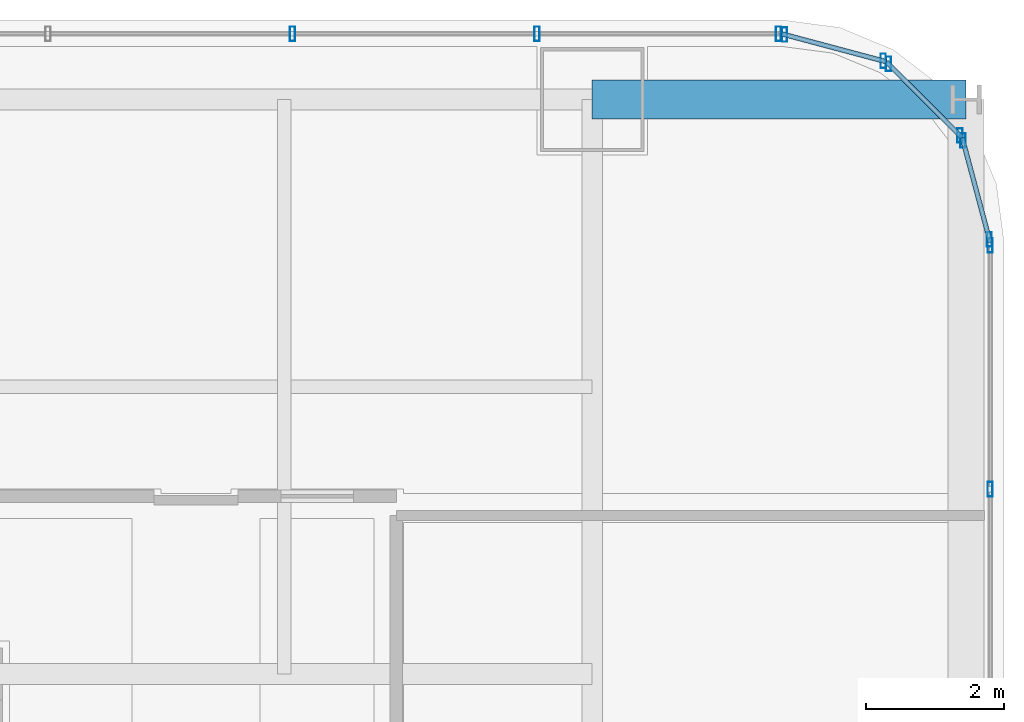
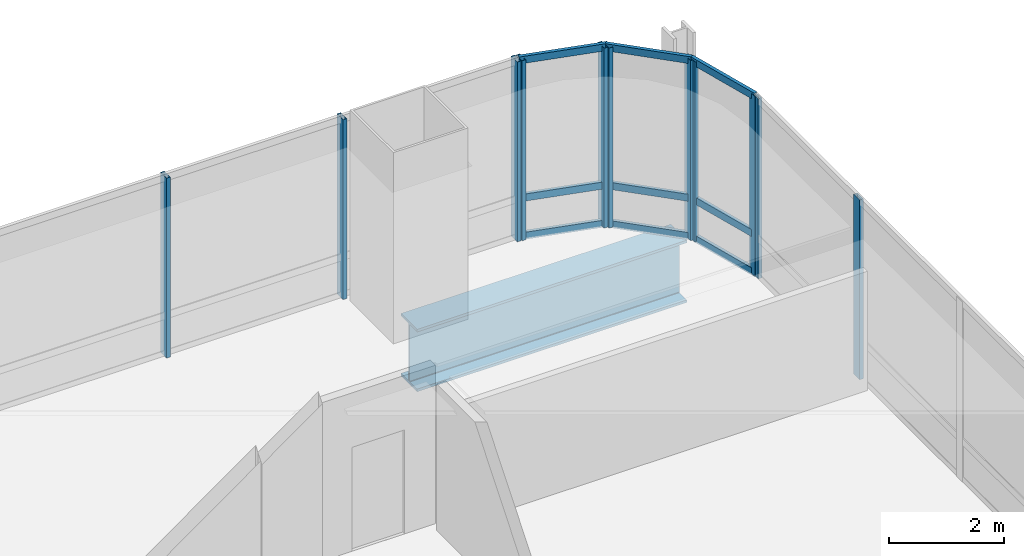
# One storey, part 24 of 34: 20 members, 1 beam, 5 elements without a shape of their own.
"""IFC4 building model written with IfcOpenShell, lengths in metres."""

import ifcopenshell
import ifcopenshell.guid

model = None  # the IFC model being written
_history = None  # IfcOwnerHistory: only IFC2X3 demands one
_inside = {}  # id of a spatial element -> (the spatial element, [elements in it])
_under = {}  # id of a project, library or spatial element -> (it, [spatial elements below it])
_declared = {}  # id of a project -> (the project, [libraries it declares])
_typed = {}  # id of a type object -> (the type object, [elements of that type])
_made_of = {}  # id of a material, layer set ... -> (it, [elements and type objects made of it])


def new_model(schema):
    """Start an empty IFC model of exactly this schema.

    Asked for "IFC4X3", IfcOpenShell would pick the latest addendum, in which some entities
    have other attributes; the version numbers below select the first issue.
    IFC2X3 requires an IfcOwnerHistory on every rooted entity: one is made here for all.
    """
    global model, _history
    if schema == "IFC4X3":
        model = ifcopenshell.file(schema_version=(4, 3, 0, 0))
    else:
        model = ifcopenshell.file(schema=schema)
    _inside.clear()
    _under.clear()
    _declared.clear()
    _typed.clear()
    _made_of.clear()
    _history = None
    if model.schema == "IFC2X3":
        org = make("IfcOrganization", Name="unknown")
        user = make(
            "IfcPersonAndOrganization",
            ThePerson=make("IfcPerson", FamilyName="unknown"),
            TheOrganization=org,
        )
        app = make(
            "IfcApplication",
            ApplicationDeveloper=org,
            Version="unknown",
            ApplicationFullName="unknown",
            ApplicationIdentifier="unknown",
        )
        _history = make(
            "IfcOwnerHistory",
            OwningUser=user,
            OwningApplication=app,
            ChangeAction="ADDED",
            CreationDate=0,
        )
    return model


def make(cls, **values):
    """One entity of the class cls with the attributes given. An attribute that is None is left unset."""
    return model.create_entity(
        cls, **{name: value for name, value in values.items() if value is not None}
    )


def rooted(cls, **values):
    """An entity with a GlobalId (a new one), such as an element, a storey or a relation."""
    return make(cls, GlobalId=ifcopenshell.guid.new(), OwnerHistory=_history, **values)


def si_unit(unit_type, name, prefix=None):
    """IfcSIUnit, for example si_unit("LENGTHUNIT", "METRE", prefix="MILLI")."""
    return make("IfcSIUnit", UnitType=unit_type, Prefix=prefix, Name=name)


def assignment(units):
    """IfcUnitAssignment: the units of a project."""
    return None if units is None else make("IfcUnitAssignment", Units=units)


def point(xyz):
    """IfcCartesianPoint."""
    return None if xyz is None else make("IfcCartesianPoint", Coordinates=xyz)


def direction(xyz):
    """IfcDirection."""
    return None if xyz is None else make("IfcDirection", DirectionRatios=xyz)


def frame(location, z_axis=None, x_axis=None):
    """IfcAxis2Placement3D, a coordinate frame: its origin and axes. An axis left out is left unset."""
    return make(
        "IfcAxis2Placement3D",
        Location=point(location),
        Axis=direction(z_axis),
        RefDirection=direction(x_axis),
    )


def frame_2d(location, x_axis=None):
    """IfcAxis2Placement2D, a coordinate frame in the plane: its origin and x axis."""
    return make(
        "IfcAxis2Placement2D", Location=point(location), RefDirection=direction(x_axis)
    )


def origin():
    """The frame at (0, 0, 0) with its axes left unset."""
    return frame((0.0, 0.0, 0.0))


def origin_2d():
    """The frame at (0, 0) in the plane with its x axis left unset."""
    return frame_2d((0.0, 0.0))


def place(relative_to, where):
    """IfcLocalPlacement: puts the frame where relative to a parent placement (None: the world)."""
    return make(
        "IfcLocalPlacement", PlacementRelTo=relative_to, RelativePlacement=where
    )


def context(
    kind, dimensions, precision=None, world=None, true_north=None, identifier=None
):
    """IfcGeometricRepresentationContext, for example the 3D "Model" context."""
    return make(
        "IfcGeometricRepresentationContext",
        ContextIdentifier=identifier,
        ContextType=kind,
        CoordinateSpaceDimension=dimensions,
        Precision=precision,
        WorldCoordinateSystem=world,
        TrueNorth=true_north,
    )


def subcontext(parent, identifier, kind, view, scale=None):
    """IfcGeometricRepresentationSubContext, for example "Body" below "Model"."""
    return make(
        "IfcGeometricRepresentationSubContext",
        ContextIdentifier=identifier,
        ContextType=kind,
        ParentContext=parent,
        TargetScale=scale,
        TargetView=view,
    )


def project(units=None, contexts=None):
    """IfcProject with its units and contexts."""
    return rooted(
        "IfcProject",
        Name="project",
        RepresentationContexts=contexts,
        UnitsInContext=assignment(units),
    )


def spatial(cls, under=None, at=None, **own):
    """A site, building, storey or space (cls), placed at a placement, below another one or the project."""
    s = rooted(cls, ObjectPlacement=at, **own)
    if under is not None:
        _under.setdefault(under.id(), (under, []))[1].append(s)
    return s


def profile(cls, at=None, kind="AREA", **sizes):
    """A parametric profile (cls). Its sizes go by their IFC names, for example OverallWidth=200.0."""
    return make(cls, ProfileType=kind, Position=at, **sizes)


def hollow_rectangle(**sizes):
    """IfcRectangleHollowProfileDef."""
    return profile("IfcRectangleHollowProfileDef", **sizes)


def i_section(**sizes):
    """IfcIShapeProfileDef."""
    return profile("IfcIShapeProfileDef", **sizes)


def extrude(swept, where, along, depth):
    """IfcExtrudedAreaSolid: the profile swept, set in the frame where, extruded along a direction by depth."""
    return make(
        "IfcExtrudedAreaSolid",
        SweptArea=swept,
        Position=where,
        ExtrudedDirection=direction(along),
        Depth=depth,
    )


def shape(context_of_items, identifier, shape_type, items):
    """IfcShapeRepresentation: the items that make up one representation, for example the "Body"."""
    return make(
        "IfcShapeRepresentation",
        ContextOfItems=context_of_items,
        RepresentationIdentifier=identifier,
        RepresentationType=shape_type,
        Items=items,
    )


def material(Name=None, Category=None):
    """IfcMaterial."""
    return make("IfcMaterial", Name=Name, Category=Category)


def material_profile(
    of_material, cross_section, Name=None, Category=None, Priority=None
):
    """IfcMaterialProfile: a cross section and its material."""
    return make(
        "IfcMaterialProfile",
        Name=Name,
        Material=of_material,
        Profile=cross_section,
        Priority=Priority,
        Category=Category,
    )


def profile_set(profiles, Name=None, composite=None):
    """IfcMaterialProfileSet."""
    return make(
        "IfcMaterialProfileSet",
        Name=Name,
        MaterialProfiles=profiles,
        CompositeProfile=composite,
    )


def made_of(thing, what):
    """Note that an element or type object is made of a material, layer set ...; save() writes the relation."""
    if what is not None:
        _made_of.setdefault(what.id(), (what, []))[1].append(thing)
    return thing


def type_object(cls, material=None, **own):
    """A type object (cls), such as IfcWallType, which elements share."""
    return made_of(rooted(cls, **own), material)


def element(
    cls,
    number,
    at=None,
    inside=None,
    cuts=None,
    type_object=None,
    material=None,
    context=None,
    identifier="Body",
    shape_type=None,
    held_by="IfcProductDefinitionShape",
    body=None,
    shapes=None,
    **own,
):
    """One element of the class cls, such as IfcWall. Its Tag is "e" and its number.

    at: its placement. inside: the storey or other place that contains it. cuts: it is an
    opening in that element (IfcRelVoidsElement). A single representation is given by context,
    identifier, shape_type and body (its items); several are given by shapes. held_by: the class
    of the entity that holds the representations. save() writes the other relations.
    """
    e = rooted(cls, Tag="e%d" % number, ObjectPlacement=at, **own)
    if body is not None:
        shapes = [shape(context, identifier, shape_type, body)]
    if shapes is not None:
        e.Representation = make(held_by, Representations=shapes)
    if inside is not None:
        _inside.setdefault(inside.id(), (inside, []))[1].append(e)
    if cuts is not None:
        rooted(
            "IfcRelVoidsElement", RelatingBuildingElement=cuts, RelatedOpeningElement=e
        )
    if type_object is not None:
        _typed.setdefault(type_object.id(), (type_object, []))[1].append(e)
    return made_of(e, material)


def aggregate(whole, parts):
    """IfcRelAggregates: a whole, such as a stair, and the parts it consists of."""
    return rooted("IfcRelAggregates", RelatingObject=whole, RelatedObjects=parts)


def save(model, path):
    """Write the relations noted so far, then the file.

    IfcRelAggregates (storeys below a building ...), IfcRelContainedInSpatialStructure (elements
    in a storey), IfcRelDefinesByType, IfcRelAssociatesMaterial and IfcRelDeclares: one each for
    every whole, place, type object, material and project.
    """
    for whole, parts in _under.values():
        aggregate(whole, parts)
    for where, things in _inside.values():
        rooted(
            "IfcRelContainedInSpatialStructure",
            RelatedElements=things,
            RelatingStructure=where,
        )
    for kind, things in _typed.values():
        rooted("IfcRelDefinesByType", RelatedObjects=things, RelatingType=kind)
    for what, things in _made_of.values():
        rooted("IfcRelAssociatesMaterial", RelatedObjects=things, RelatingMaterial=what)
    for by, libraries in _declared.values():
        rooted("IfcRelDeclares", RelatingContext=by, RelatedDefinitions=libraries)
    model.write(path)


model = new_model("IFC4")

# Units and contexts
model_context = context("Model", 3, precision=1e-05, world=origin(), true_north=direction((0.0, 1.0)))
body_context = subcontext(model_context, "Body", "Model", "MODEL_VIEW")
ifc_project = project(units=[si_unit("LENGTHUNIT", "METRE"), si_unit("AREAUNIT", "SQUARE_METRE"), si_unit("VOLUMEUNIT", "CUBIC_METRE"), si_unit("PLANEANGLEUNIT", "RADIAN"), si_unit("MASSUNIT", "GRAM", prefix="KILO")], contexts=[model_context])

# Site, building, storey
site_placement = place(None, origin())
site = spatial("IfcSite", under=ifc_project, at=site_placement, CompositionType="ELEMENT")
building_placement = place(site_placement, origin())
building = spatial("IfcBuilding", under=site, at=building_placement, Name="Punatoya Terracotta Tower", CompositionType="ELEMENT")
storey_placement = place(building_placement, frame((0.0, 0.0, 84.89990234375)))
storey = spatial("IfcBuildingStorey", under=building, at=storey_placement, Name="L19", CompositionType="ELEMENT", Elevation=84.89990234375)

# Beam
ifc_material_1 = material(Name="Steel S460", Category="steel")
ifc_material_profile_1 = material_profile(ifc_material_1, i_section(OverallWidth=0.56005859375, OverallDepth=1.320068359375, WebThickness=0.035888671875, FlangeThickness=0.054931640625, FilletRadius=0.01806640625, at=origin_2d()))
ifc_profile_set_1 = profile_set([ifc_material_profile_1], Name="Steel S460")
beam_type = type_object("IfcBeamType", Name="BM-TG-BLK", PredefinedType="BEAM", material=ifc_profile_set_1)
beam_placement = place(storey_placement, frame((19.10009765625, 17.5, -0.89990234375), z_axis=(1.0, 0.0, 0.0), x_axis=(0.0, 1.0, 0.0)))
element("IfcBeam", 1, at=beam_placement, inside=storey, type_object=beam_type, Name="BM-L19-CANT-E4", PredefinedType="BEAM", context=body_context, shape_type="SweptSolid", body=[
    extrude(i_section(OverallWidth=0.56005859375, OverallDepth=1.320068359375, WebThickness=0.035888671875, FlangeThickness=0.054931640625, FilletRadius=0.01806640625, at=origin_2d()), origin(), (0.0, 0.0, 1.0), 5.39990234375),
])

# Curtain wall, members
ifc_material_2 = material(Name="Aluminium 6063-T6 + Double Low-E Glass", Category="aluminium")
curtain_wall_type = type_object("IfcCurtainWallType", Name="CW-M1", PredefinedType="NOTDEFINED", material=ifc_material_2)
curtain_wall_1_placement = place(storey_placement, origin())
curtain_wall_1 = element("IfcCurtainWall", 2, at=curtain_wall_1_placement, inside=storey, type_object=curtain_wall_type, Name="L19 Curtain Wall CW-L19-E05-1", PredefinedType="NOTDEFINED")
ifc_material_3 = material(Name="Aluminium 6063-T6", Category="aluminium")
ifc_material_profile_2 = material_profile(ifc_material_3, hollow_rectangle(XDim=0.074951171875, YDim=0.2099609375, WallThickness=0.00439453125, at=origin_2d()))
ifc_profile_set_2 = profile_set([ifc_material_profile_2], Name="Aluminium 6063-T6")
member_type_1 = type_object("IfcMemberType", Name="CW-MUL-M1", PredefinedType="MULLION", material=ifc_profile_set_2)
member_1_placement = place(storey_placement, frame((24.85009765625, 11.869384765625, 0.0), z_axis=(0.0, 0.0, 1.0), x_axis=(1.0, 0.0, 0.0)))
member_1 = element("IfcMember", 3, at=member_1_placement, type_object=member_type_1, Name="CW-L19-E05-1 Mullion 09", PredefinedType="MULLION", context=body_context, shape_type="SweptSolid", body=[
    extrude(hollow_rectangle(XDim=0.074951171875, YDim=0.2099609375, WallThickness=0.00439453125, at=origin_2d()), origin(), (0.0, 0.0, 1.0), 3.81005859375),
])
member_2_placement = place(storey_placement, frame((24.85009765625, 15.391845703125, 0.0), z_axis=(0.0, 0.0, 1.0), x_axis=(1.0, 0.0, 0.0)))
member_2 = element("IfcMember", 4, at=member_2_placement, type_object=member_type_1, Name="CW-L19-E05-1 Mullion 10", PredefinedType="MULLION", context=body_context, shape_type="SweptSolid", body=[
    extrude(hollow_rectangle(XDim=0.074951171875, YDim=0.2099609375, WallThickness=0.00439453125, at=origin_2d()), origin(), (0.0, 0.0, 1.0), 3.81005859375),
])
aggregate(curtain_wall_1, [member_1, member_2])

curtain_wall_2_placement = place(storey_placement, origin())
curtain_wall_2 = element("IfcCurtainWall", 5, at=curtain_wall_2_placement, inside=storey, type_object=curtain_wall_type, Name="L19 Curtain Wall CW-L19-CRN06", PredefinedType="NOTDEFINED")
member_3_placement = place(storey_placement, frame((24.83837890625, 15.48046875, 0.0), z_axis=(0.0, 0.0, 1.0), x_axis=(1.0, 0.0, 0.0)))
member_3 = element("IfcMember", 6, at=member_3_placement, type_object=member_type_1, Name="CW-L19-CRN06 Mullion 00", PredefinedType="MULLION", context=body_context, shape_type="SweptSolid", body=[
    extrude(hollow_rectangle(XDim=0.074951171875, YDim=0.2099609375, WallThickness=0.00439453125, at=origin_2d()), origin(), (0.0, 0.0, 1.0), 3.81005859375),
])
member_4_placement = place(storey_placement, frame((24.458251953125, 16.905517578125, 0.0), z_axis=(0.0, 0.0, 1.0), x_axis=(1.0, 0.0, 0.0)))
member_4 = element("IfcMember", 7, at=member_4_placement, type_object=member_type_1, Name="CW-L19-CRN06 Mullion 01", PredefinedType="MULLION", context=body_context, shape_type="SweptSolid", body=[
    extrude(hollow_rectangle(XDim=0.074951171875, YDim=0.2099609375, WallThickness=0.00439453125, at=origin_2d()), origin(), (0.0, 0.0, 1.0), 3.81005859375),
])

curtain_wall_3_placement = place(storey_placement, origin())
curtain_wall_3 = element("IfcCurtainWall", 8, at=curtain_wall_3_placement, inside=storey, type_object=curtain_wall_type, Name="L19 Curtain Wall CW-L19-CRN07", PredefinedType="NOTDEFINED")
member_5_placement = place(storey_placement, frame((24.414794921875, 16.98095703125, 0.0), z_axis=(0.0, 0.0, 1.0), x_axis=(1.0, 0.0, 0.0)))
member_5 = element("IfcMember", 9, at=member_5_placement, type_object=member_type_1, Name="CW-L19-CRN07 Mullion 00", PredefinedType="MULLION", context=body_context, shape_type="SweptSolid", body=[
    extrude(hollow_rectangle(XDim=0.074951171875, YDim=0.2099609375, WallThickness=0.00439453125, at=origin_2d()), origin(), (0.0, 0.0, 1.0), 3.81005859375),
])
member_6_placement = place(storey_placement, frame((23.380859375, 18.014892578125, 0.0), z_axis=(0.0, 0.0, 1.0), x_axis=(1.0, 0.0, 0.0)))
member_6 = element("IfcMember", 10, at=member_6_placement, type_object=member_type_1, Name="CW-L19-CRN07 Mullion 01", PredefinedType="MULLION", context=body_context, shape_type="SweptSolid", body=[
    extrude(hollow_rectangle(XDim=0.074951171875, YDim=0.2099609375, WallThickness=0.00439453125, at=origin_2d()), origin(), (0.0, 0.0, 1.0), 3.81005859375),
])

curtain_wall_4_placement = place(storey_placement, origin())
curtain_wall_4 = element("IfcCurtainWall", 11, at=curtain_wall_4_placement, inside=storey, type_object=curtain_wall_type, Name="L19 Curtain Wall CW-L19-CRN08", PredefinedType="NOTDEFINED")
member_7_placement = place(storey_placement, frame((23.3056640625, 18.05810546875, 0.0), z_axis=(0.0, 0.0, 1.0), x_axis=(1.0, 0.0, 0.0)))
member_7 = element("IfcMember", 12, at=member_7_placement, type_object=member_type_1, Name="CW-L19-CRN08 Mullion 00", PredefinedType="MULLION", context=body_context, shape_type="SweptSolid", body=[
    extrude(hollow_rectangle(XDim=0.074951171875, YDim=0.2099609375, WallThickness=0.00439453125, at=origin_2d()), origin(), (0.0, 0.0, 1.0), 3.81005859375),
])
member_8_placement = place(storey_placement, frame((21.88037109375, 18.4384765625, 0.0), z_axis=(0.0, 0.0, 1.0), x_axis=(1.0, 0.0, 0.0)))
member_8 = element("IfcMember", 13, at=member_8_placement, type_object=member_type_1, Name="CW-L19-CRN08 Mullion 01", PredefinedType="MULLION", context=body_context, shape_type="SweptSolid", body=[
    extrude(hollow_rectangle(XDim=0.074951171875, YDim=0.2099609375, WallThickness=0.00439453125, at=origin_2d()), origin(), (0.0, 0.0, 1.0), 3.81005859375),
])

curtain_wall_5_placement = place(storey_placement, origin())
curtain_wall_5 = element("IfcCurtainWall", 14, at=curtain_wall_5_placement, inside=storey, type_object=curtain_wall_type, Name="L19 Curtain Wall CW-L19-N09-1", PredefinedType="NOTDEFINED")
member_9_placement = place(storey_placement, frame((21.7919921875, 18.449951171875, 0.0), z_axis=(0.0, 0.0, 1.0), x_axis=(1.0, 0.0, 0.0)))
member_9 = element("IfcMember", 15, at=member_9_placement, type_object=member_type_1, Name="CW-L19-N09-1 Mullion 00", PredefinedType="MULLION", context=body_context, shape_type="SweptSolid", body=[
    extrude(hollow_rectangle(XDim=0.074951171875, YDim=0.2099609375, WallThickness=0.00439453125, at=origin_2d()), origin(), (0.0, 0.0, 1.0), 3.81005859375),
])
member_10_placement = place(storey_placement, frame((18.302978515625, 18.449951171875, 0.0), z_axis=(0.0, 0.0, 1.0), x_axis=(1.0, 0.0, 0.0)))
member_10 = element("IfcMember", 16, at=member_10_placement, type_object=member_type_1, Name="CW-L19-N09-1 Mullion 01", PredefinedType="MULLION", context=body_context, shape_type="SweptSolid", body=[
    extrude(hollow_rectangle(XDim=0.074951171875, YDim=0.2099609375, WallThickness=0.00439453125, at=origin_2d()), origin(), (0.0, 0.0, 1.0), 3.81005859375),
])
member_11_placement = place(storey_placement, frame((14.768798828125, 18.449951171875, 0.0), z_axis=(0.0, 0.0, 1.0), x_axis=(1.0, 0.0, 0.0)))
member_11 = element("IfcMember", 17, at=member_11_placement, type_object=member_type_1, Name="CW-L19-N09-1 Mullion 02", PredefinedType="MULLION", context=body_context, shape_type="SweptSolid", body=[
    extrude(hollow_rectangle(XDim=0.074951171875, YDim=0.2099609375, WallThickness=0.00439453125, at=origin_2d()), origin(), (0.0, 0.0, 1.0), 3.81005859375),
])
aggregate(curtain_wall_5, [member_9, member_10, member_11])

# Member
ifc_material_profile_3 = material_profile(ifc_material_3, hollow_rectangle(XDim=0.068115234375, YDim=0.14990234375, WallThickness=0.00390625, at=origin_2d()))
ifc_profile_set_3 = profile_set([ifc_material_profile_3], Name="Aluminium 6063-T6")
member_type_2 = type_object("IfcMemberType", Name="CW-TRN-TYP", PredefinedType="USERDEFINED", material=ifc_profile_set_3)
member_12_placement = place(storey_placement, frame((24.85009765625, 15.43701171875, 0.0400390625), z_axis=(-0.257847112249, 0.966185730957, 0.0), x_axis=(-0.966185730957, -0.257847112249, 0.0)))
member_12 = element("IfcMember", 18, at=member_12_placement, type_object=member_type_2, Name="CW-L19-CRN06 Transom 1", ObjectType="TRANSOM", PredefinedType="USERDEFINED", context=body_context, shape_type="SweptSolid", body=[
    extrude(hollow_rectangle(XDim=0.068115234375, YDim=0.14990234375, WallThickness=0.00390625, at=origin_2d()), origin(), (0.0, 0.0, 1.0), 1.565185546875),
])

member_13_placement = place(storey_placement, frame((24.85009765625, 15.43701171875, 0.85009765625), z_axis=(-0.257847112249, 0.966185730957, 0.0), x_axis=(-0.966185730957, -0.257847112249, 0.0)))
member_13 = element("IfcMember", 19, at=member_13_placement, type_object=member_type_2, Name="CW-L19-CRN06 Transom 2", ObjectType="TRANSOM", PredefinedType="USERDEFINED", context=body_context, shape_type="SweptSolid", body=[
    extrude(hollow_rectangle(XDim=0.068115234375, YDim=0.14990234375, WallThickness=0.00390625, at=origin_2d()), origin(), (0.0, 0.0, 1.0), 1.565185546875),
])

member_14_placement = place(storey_placement, frame((24.85009765625, 15.43701171875, 3.77001953125), z_axis=(-0.257847112249, 0.966185730957, 0.0), x_axis=(-0.966185730957, -0.257847112249, 0.0)))
member_14 = element("IfcMember", 20, at=member_14_placement, type_object=member_type_2, Name="CW-L19-CRN06 Transom 3", ObjectType="TRANSOM", PredefinedType="USERDEFINED", context=body_context, shape_type="SweptSolid", body=[
    extrude(hollow_rectangle(XDim=0.068115234375, YDim=0.14990234375, WallThickness=0.00390625, at=origin_2d()), origin(), (0.0, 0.0, 1.0), 1.565185546875),
])

aggregate(curtain_wall_2, [member_3, member_4, member_12, member_13, member_14])

member_15_placement = place(storey_placement, frame((24.446533203125, 16.94921875, 0.0400390625), z_axis=(-0.707106781187, 0.707106781187, 0.0), x_axis=(-0.707106781187, -0.707106781187, 0.0)))
member_15 = element("IfcMember", 21, at=member_15_placement, type_object=member_type_2, Name="CW-L19-CRN07 Transom 1", ObjectType="TRANSOM", PredefinedType="USERDEFINED", context=body_context, shape_type="SweptSolid", body=[
    extrude(hollow_rectangle(XDim=0.068115234375, YDim=0.14990234375, WallThickness=0.00390625, at=origin_2d()), origin(), (0.0, 0.0, 1.0), 1.552001953125),
])

member_16_placement = place(storey_placement, frame((24.446533203125, 16.94921875, 0.85009765625), z_axis=(-0.707106781187, 0.707106781187, 0.0), x_axis=(-0.707106781187, -0.707106781187, 0.0)))
member_16 = element("IfcMember", 22, at=member_16_placement, type_object=member_type_2, Name="CW-L19-CRN07 Transom 2", ObjectType="TRANSOM", PredefinedType="USERDEFINED", context=body_context, shape_type="SweptSolid", body=[
    extrude(hollow_rectangle(XDim=0.068115234375, YDim=0.14990234375, WallThickness=0.00390625, at=origin_2d()), origin(), (0.0, 0.0, 1.0), 1.552001953125),
])

member_17_placement = place(storey_placement, frame((24.446533203125, 16.94921875, 3.77001953125), z_axis=(-0.707106781187, 0.707106781187, 0.0), x_axis=(-0.707106781187, -0.707106781187, 0.0)))
member_17 = element("IfcMember", 23, at=member_17_placement, type_object=member_type_2, Name="CW-L19-CRN07 Transom 3", ObjectType="TRANSOM", PredefinedType="USERDEFINED", context=body_context, shape_type="SweptSolid", body=[
    extrude(hollow_rectangle(XDim=0.068115234375, YDim=0.14990234375, WallThickness=0.00390625, at=origin_2d()), origin(), (0.0, 0.0, 1.0), 1.552001953125),
])

aggregate(curtain_wall_3, [member_5, member_6, member_15, member_16, member_17])

member_18_placement = place(storey_placement, frame((23.34912109375, 18.046630859375, 0.0400390625), z_axis=(-0.966224582397, 0.257701486942, 0.0), x_axis=(-0.257701486942, -0.966224582397, 0.0)))
member_18 = element("IfcMember", 24, at=member_18_placement, type_object=member_type_2, Name="CW-L19-CRN08 Transom 1", ObjectType="TRANSOM", PredefinedType="USERDEFINED", context=body_context, shape_type="SweptSolid", body=[
    extrude(hollow_rectangle(XDim=0.068115234375, YDim=0.14990234375, WallThickness=0.00390625, at=origin_2d()), origin(), (0.0, 0.0, 1.0), 1.565185546875),
])

member_19_placement = place(storey_placement, frame((23.34912109375, 18.046630859375, 0.85009765625), z_axis=(-0.966224582397, 0.257701486942, 0.0), x_axis=(-0.257701486942, -0.966224582397, 0.0)))
member_19 = element("IfcMember", 25, at=member_19_placement, type_object=member_type_2, Name="CW-L19-CRN08 Transom 2", ObjectType="TRANSOM", PredefinedType="USERDEFINED", context=body_context, shape_type="SweptSolid", body=[
    extrude(hollow_rectangle(XDim=0.068115234375, YDim=0.14990234375, WallThickness=0.00390625, at=origin_2d()), origin(), (0.0, 0.0, 1.0), 1.565185546875),
])

member_20_placement = place(storey_placement, frame((23.34912109375, 18.046630859375, 3.77001953125), z_axis=(-0.966224582397, 0.257701486942, 0.0), x_axis=(-0.257701486942, -0.966224582397, 0.0)))
member_20 = element("IfcMember", 26, at=member_20_placement, type_object=member_type_2, Name="CW-L19-CRN08 Transom 3", ObjectType="TRANSOM", PredefinedType="USERDEFINED", context=body_context, shape_type="SweptSolid", body=[
    extrude(hollow_rectangle(XDim=0.068115234375, YDim=0.14990234375, WallThickness=0.00390625, at=origin_2d()), origin(), (0.0, 0.0, 1.0), 1.565185546875),
])

aggregate(curtain_wall_4, [member_7, member_8, member_18, member_19, member_20])

save(model, "model.ifc")
